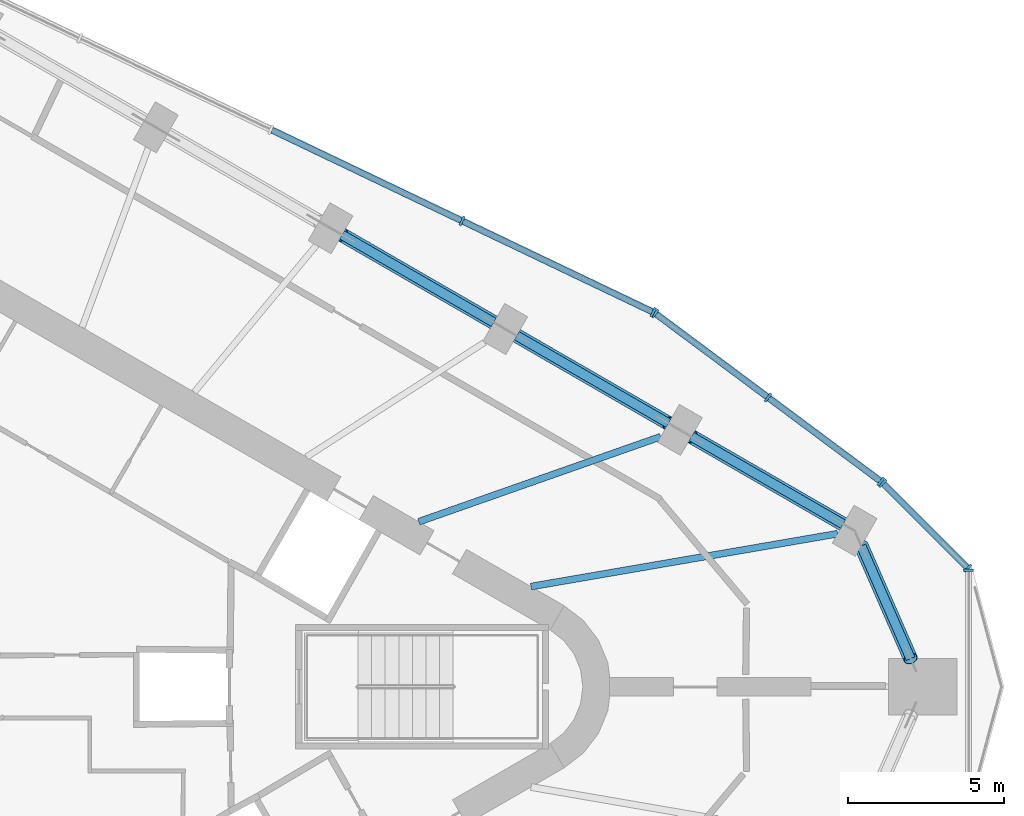
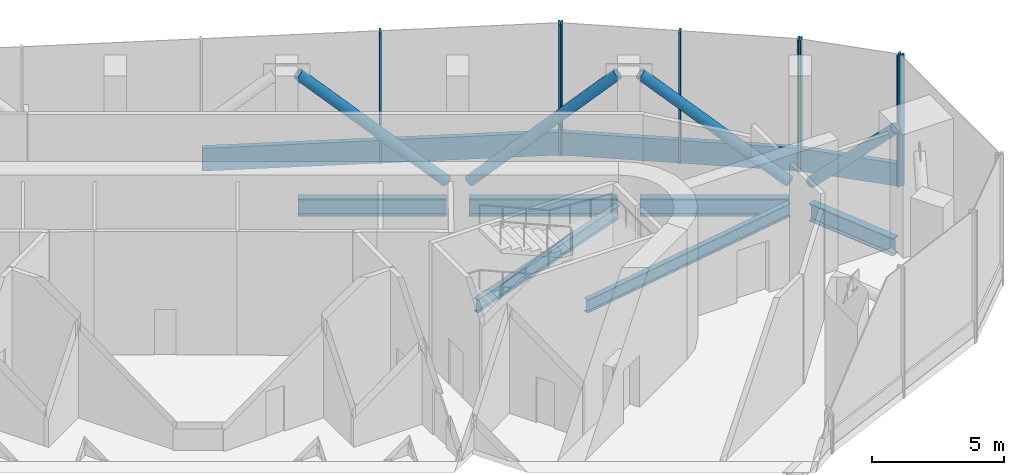
# One storey, part 5 of 15: 17 members, 6 beams, 4 elements without a shape of their own.
"""IFC4 building model written with IfcOpenShell, lengths in metres."""

from ifc_helpers import new_model, si_unit, direction, frame, origin, origin_2d, place, context, subcontext, project, spatial, rectangle, hollow_circle, i_section, extrude, material, material_profile, profile_set, type_object, element, aggregate, save


model = new_model("IFC4")

# Units and contexts
model_context = context("Model", 3, precision=1e-05, world=origin(), true_north=direction((0.0, 1.0)))
body_context = subcontext(model_context, "Body", "Model", "MODEL_VIEW")
ifc_project = project(units=[si_unit("LENGTHUNIT", "METRE"), si_unit("AREAUNIT", "SQUARE_METRE"), si_unit("VOLUMEUNIT", "CUBIC_METRE"), si_unit("PLANEANGLEUNIT", "RADIAN"), si_unit("MASSUNIT", "GRAM", prefix="KILO")], contexts=[model_context])

# Site, building, storey
site_placement = place(None, origin())
site = spatial("IfcSite", under=ifc_project, at=site_placement, CompositionType="ELEMENT")
building_placement = place(site_placement, origin())
building = spatial("IfcBuilding", under=site, at=building_placement, Name="Tanit Gate Tower", CompositionType="ELEMENT")
storey_placement = place(building_placement, frame((0.0, 0.0, 392.300048828125)))
storey = spatial("IfcBuildingStorey", under=building, at=storey_placement, Name="L90", CompositionType="ELEMENT", Elevation=392.300048828125)

# Beams
ifc_material_1 = material(Name="Steel S460", Category="steel")
ifc_material_profile_1 = material_profile(ifc_material_1, i_section(OverallWidth=0.302978515625, OverallDepth=0.81396484375, WebThickness=0.02099609375, FlangeThickness=0.0400390625, FilletRadius=0.030029296875, at=origin_2d()), Name="HEM 800")
ifc_profile_set_1 = profile_set([ifc_material_profile_1], Name="Steel S460")
beam_type_1 = type_object("IfcBeamType", Name="BELT TRUSS CHORD HEM 800 S460", PredefinedType="BEAM", material=ifc_profile_set_1)
beam_1_placement = place(storey_placement, frame((30.802001953125, 0.89990234375, -0.757080078125), z_axis=(-0.400637057258, 0.916236840752, 0.0), x_axis=(-0.916236840752, -0.400637057258, 0.0)))
element("IfcBeam", 1, at=beam_1_placement, inside=storey, type_object=beam_type_1, Name="BELT TRUSS CHORD", PredefinedType="BEAM", context=body_context, shape_type="SweptSolid", body=[
    extrude(i_section(OverallWidth=0.302978515625, OverallDepth=0.81396484375, WebThickness=0.02099609375, FlangeThickness=0.0400390625, FilletRadius=0.030029296875, at=origin_2d()), origin(), (0.0, 0.0, 1.0), 3.94580078125),
])
for number, where, z_axis, x_axis, name in (
    (2, (28.6416015625, 5.21142578125, -0.757080078125), (-0.866032056001, 0.499988477847, 0.0), (-0.499988477847, -0.866032056001, 0.0), "BELT TRUSS CHORD"),
    (3, (23.043701171875, 8.443359375, -0.757080078125), (-0.866032056001, 0.499988477847, 0.0), (-0.499988477847, -0.866032056001, 0.0), "BELT TRUSS CHORD"),
    (4, (17.44580078125, 11.67529296875, -0.757080078125), (-0.866032056001, 0.499988477847, 0.0), (-0.499988477847, -0.866032056001, 0.0), "BELT TRUSS CHORD"),
):
    element("IfcBeam", number, at=place(storey_placement, frame(where, z_axis=z_axis, x_axis=x_axis)), inside=storey, type_object=beam_type_1, Name=name, PredefinedType="BEAM", context=body_context, shape_type="SweptSolid", body=[
        extrude(i_section(OverallWidth=0.302978515625, OverallDepth=0.81396484375, WebThickness=0.02099609375, FlangeThickness=0.0400390625, FilletRadius=0.030029296875, at=origin_2d()), origin(), (0.0, 0.0, 1.0), 5.614013671875),
    ])

# Members
ifc_material_2 = material(Name="Steel S460", Category="steel")
ifc_material_profile_2 = material_profile(ifc_material_2, hollow_circle(Radius=0.228515625, WallThickness=0.02001953125, at=origin_2d()), Name="CHS 457x20")
ifc_profile_set_2 = profile_set([ifc_material_profile_2], Name="Steel S460")
member_type_1 = type_object("IfcMemberType", Name="BELT TRUSS DIAGONAL CHS 457x20 S460", PredefinedType="BRACE", material=ifc_profile_set_2)
member_1_placement = place(storey_placement, frame((30.802001953125, 0.89990234375, 4.673828125), z_axis=(-0.277026873899, 0.633546555783, -0.722409075797), x_axis=(-0.916236840752, -0.400637057258, 0.0)))
element("IfcMember", 5, at=member_1_placement, inside=storey, type_object=member_type_1, Name="BELT TRUSS DIAGONAL", PredefinedType="BRACE", context=body_context, shape_type="SweptSolid", body=[
    extrude(hollow_circle(Radius=0.228515625, WallThickness=0.02001953125, at=origin_2d()), origin(), (0.0, 0.0, 1.0), 5.706298828125),
])
for number, where, z_axis, x_axis, name in (
    (6, (28.6416015625, 5.21142578125, 0.374755859375), (-0.649555840169, 0.375009716502, 0.661396192181), (-0.499988477847, -0.866032056001, 0.0), "BELT TRUSS DIAGONAL"),
    (7, (23.043701171875, 8.443359375, 5.3251953125), (-0.649555840169, 0.375009716502, -0.661396192181), (-0.499988477847, -0.866032056001, 0.0), "BELT TRUSS DIAGONAL"),
    (8, (17.44580078125, 11.67529296875, 0.374755859375), (-0.649555840169, 0.375009716502, 0.661396192181), (-0.499988477847, -0.866032056001, 0.0), "BELT TRUSS DIAGONAL"),
):
    element("IfcMember", number, at=place(storey_placement, frame(where, z_axis=z_axis, x_axis=x_axis)), inside=storey, type_object=member_type_1, Name=name, PredefinedType="BRACE", context=body_context, shape_type="SweptSolid", body=[
        extrude(hollow_circle(Radius=0.228515625, WallThickness=0.02001953125, at=origin_2d()), origin(), (0.0, 0.0, 1.0), 7.48486328125),
    ])

# Curtain wall, members
ifc_material_3 = material(Name="Aluminium bronze anodised and glass", Category="aluminium")
curtain_wall_type = type_object("IfcCurtainWallType", Name="Curtain wall sky lobby", PredefinedType="NOTDEFINED", material=ifc_material_3)
curtain_wall_1_placement = place(storey_placement, origin())
curtain_wall_1 = element("IfcCurtainWall", 9, at=curtain_wall_1_placement, inside=storey, type_object=curtain_wall_type, Name="Curtain wall L90 NE1", PredefinedType="NOTDEFINED")
ifc_material_4 = material(Name="Aluminium bronze anodised", Category="aluminium")
ifc_material_profile_3 = material_profile(ifc_material_4, rectangle(XDim=0.320068359375, YDim=0.080078125, at=origin_2d()), Name="80x320 bronze mullion")
ifc_profile_set_3 = profile_set([ifc_material_profile_3], Name="Aluminium bronze anodised")
member_type_2 = type_object("IfcMemberType", Name="Mullion 80x320 sky lobby", PredefinedType="MULLION", material=ifc_profile_set_3)
member_2_placement = place(storey_placement, frame((29.848876953125, 6.5771484375, -0.35009765625), z_axis=(0.0, 0.0, 1.0), x_axis=(-0.59734052401, -0.801987717098, 0.0)))
member_2 = element("IfcMember", 10, at=member_2_placement, type_object=member_type_2, Name="Mullion L90 NE1.1", PredefinedType="MULLION", context=body_context, shape_type="SweptSolid", body=[
    extrude(rectangle(XDim=0.320068359375, YDim=0.080078125, at=origin_2d()), origin(), (0.0, 0.0, 1.0), 6.050048828125),
])
member_3_placement = place(storey_placement, frame((26.235595703125, 9.2685546875, -0.35009765625), z_axis=(0.0, 0.0, 1.0), x_axis=(-0.59734052401, -0.801987717098, 0.0)))
member_3 = element("IfcMember", 11, at=member_3_placement, type_object=member_type_2, Name="Mullion L90 NE1.2", PredefinedType="MULLION", context=body_context, shape_type="SweptSolid", body=[
    extrude(rectangle(XDim=0.320068359375, YDim=0.080078125, at=origin_2d()), origin(), (0.0, 0.0, 1.0), 6.050048828125),
])
member_4_placement = place(storey_placement, frame((22.622314453125, 11.959716796875, -0.35009765625), z_axis=(0.0, 0.0, 1.0), x_axis=(-0.59734052401, -0.801987717098, 0.0)))
member_4 = element("IfcMember", 12, at=member_4_placement, type_object=member_type_2, Name="Mullion L90 NE1.3", PredefinedType="MULLION", context=body_context, shape_type="SweptSolid", body=[
    extrude(rectangle(XDim=0.320068359375, YDim=0.080078125, at=origin_2d()), origin(), (0.0, 0.0, 1.0), 6.050048828125),
])

curtain_wall_2_placement = place(storey_placement, origin())
curtain_wall_2 = element("IfcCurtainWall", 13, at=curtain_wall_2_placement, inside=storey, type_object=curtain_wall_type, Name="Curtain wall L90 NE2", PredefinedType="NOTDEFINED")
member_5_placement = place(storey_placement, frame((22.55419921875, 12.0009765625, -0.35009765625), z_axis=(0.0, 0.0, 1.0), x_axis=(-0.431072811819, -0.902317145415, 0.0)))
member_5 = element("IfcMember", 14, at=member_5_placement, type_object=member_type_2, Name="Mullion L90 NE2.1", PredefinedType="MULLION", context=body_context, shape_type="SweptSolid", body=[
    extrude(rectangle(XDim=0.320068359375, YDim=0.080078125, at=origin_2d()), origin(), (0.0, 0.0, 1.0), 6.050048828125),
])
member_6_placement = place(storey_placement, frame((16.429443359375, 14.927001953125, -0.35009765625), z_axis=(0.0, 0.0, 1.0), x_axis=(-0.431072811819, -0.902317145415, 0.0)))
member_6 = element("IfcMember", 15, at=member_6_placement, type_object=member_type_2, Name="Mullion L90 NE2.2", PredefinedType="MULLION", context=body_context, shape_type="SweptSolid", body=[
    extrude(rectangle(XDim=0.320068359375, YDim=0.080078125, at=origin_2d()), origin(), (0.0, 0.0, 1.0), 6.050048828125),
])

# Curtain wall, member
curtain_wall_3_placement = place(storey_placement, origin())
curtain_wall_3 = element("IfcCurtainWall", 16, at=curtain_wall_3_placement, inside=storey, type_object=curtain_wall_type, Name="Curtain wall L90 E.arc2", PredefinedType="NOTDEFINED")
member_7_placement = place(storey_placement, frame((32.66015625, 3.73388671875, -0.35009765625), z_axis=(0.0, 0.0, 1.0), x_axis=(-1.0, 0.0, 0.0)))
member_7 = element("IfcMember", 17, at=member_7_placement, type_object=member_type_2, Name="Mullion L90 E.arc2.2", PredefinedType="MULLION", context=body_context, shape_type="SweptSolid", body=[
    extrude(rectangle(XDim=0.320068359375, YDim=0.080078125, at=origin_2d()), origin(), (0.0, 0.0, 1.0), 6.050048828125),
])
aggregate(curtain_wall_3, [member_7])

# Curtain wall, members
curtain_wall_4_placement = place(storey_placement, origin())
curtain_wall_4 = element("IfcCurtainWall", 18, at=curtain_wall_4_placement, inside=storey, type_object=curtain_wall_type, Name="Curtain wall L90 E.arc3", PredefinedType="NOTDEFINED")
member_8_placement = place(storey_placement, frame((32.632080078125, 3.80224609375, -0.35009765625), z_axis=(0.0, 0.0, 1.0), x_axis=(-0.707106781187, -0.707106781187, 0.0)))
member_8 = element("IfcMember", 19, at=member_8_placement, type_object=member_type_2, Name="Mullion L90 E.arc3.1", PredefinedType="MULLION", context=body_context, shape_type="SweptSolid", body=[
    extrude(rectangle(XDim=0.320068359375, YDim=0.080078125, at=origin_2d()), origin(), (0.0, 0.0, 1.0), 6.050048828125),
])
member_9_placement = place(storey_placement, frame((29.9091796875, 6.52490234375, -0.35009765625), z_axis=(0.0, 0.0, 1.0), x_axis=(-0.707106781187, -0.707106781187, 0.0)))
member_9 = element("IfcMember", 20, at=member_9_placement, type_object=member_type_2, Name="Mullion L90 E.arc3.2", PredefinedType="MULLION", context=body_context, shape_type="SweptSolid", body=[
    extrude(rectangle(XDim=0.320068359375, YDim=0.080078125, at=origin_2d()), origin(), (0.0, 0.0, 1.0), 6.050048828125),
])

# Beams
ifc_material_5 = material(Name="Steel S355", Category="steel")
ifc_material_profile_4 = material_profile(ifc_material_5, i_section(OverallWidth=0.219970703125, OverallDepth=0.60009765625, WebThickness=0.011962890625, FlangeThickness=0.01904296875, FilletRadius=0.02392578125, at=origin_2d()), Name="IPE 600")
ifc_profile_set_4 = profile_set([ifc_material_profile_4], Name="Steel S355")
beam_type_2 = type_object("IfcBeamType", Name="RADIAL GIRDER IPE 600 S355", PredefinedType="BEAM", material=ifc_profile_set_4)
beam_2_placement = place(storey_placement, frame((28.464599609375, 4.905029296875, -0.650146484375), z_axis=(-0.985476230571, -0.169813424025, 0.0), x_axis=(0.169813424025, -0.985476230571, 0.0)))
element("IfcBeam", 21, at=beam_2_placement, inside=storey, type_object=beam_type_2, Name="RADIAL GIRDER", PredefinedType="BEAM", context=body_context, shape_type="SweptSolid", body=[
    extrude(i_section(OverallWidth=0.219970703125, OverallDepth=0.60009765625, WebThickness=0.011962890625, FlangeThickness=0.01904296875, FilletRadius=0.02392578125, at=origin_2d()), origin(), (0.0, 0.0, 1.0), 9.968994140625),
])
beam_3_placement = place(storey_placement, frame((22.7958984375, 8.014404296875, -0.650146484375), z_axis=(-0.943393322565, -0.331676105471, 0.0), x_axis=(0.331676105471, -0.943393322565, 0.0)))
element("IfcBeam", 22, at=beam_3_placement, inside=storey, type_object=beam_type_2, Name="RADIAL GIRDER", PredefinedType="BEAM", context=body_context, shape_type="SweptSolid", body=[
    extrude(i_section(OverallWidth=0.219970703125, OverallDepth=0.60009765625, WebThickness=0.011962890625, FlangeThickness=0.01904296875, FilletRadius=0.02392578125, at=origin_2d()), origin(), (0.0, 0.0, 1.0), 8.217529296875),
])

# Member
ifc_material_6 = material(Name="Aluminium bronze anodised", Category="aluminium")
ifc_material_profile_5 = material_profile(ifc_material_6, rectangle(XDim=0.199951171875, YDim=1.050048828125, at=origin_2d()), Name="200x1050 bronze transom")
ifc_profile_set_5 = profile_set([ifc_material_profile_5], Name="Aluminium bronze anodised")
member_type_3 = type_object("IfcMemberType", Name="Transom 200x1050 sky lobby", PredefinedType="USERDEFINED", material=ifc_profile_set_5)
member_10_placement = place(storey_placement, frame((29.81689453125, 6.60107421875, 0.175048828125), z_axis=(-0.801994753638, 0.597331076654, 0.0), x_axis=(-0.597331076654, -0.801994753638, 0.0)))
member_10 = element("IfcMember", 23, at=member_10_placement, type_object=member_type_3, Name="Transom L90 NE1.1", ObjectType="TRANSOM", PredefinedType="USERDEFINED", context=body_context, shape_type="SweptSolid", body=[
    extrude(rectangle(XDim=0.199951171875, YDim=1.050048828125, at=origin_2d()), origin(), (0.0, 0.0, 1.0), 4.425537109375),
])

member_11_placement = place(storey_placement, frame((26.20361328125, 9.292236328125, 0.175048828125), z_axis=(-0.801994753638, 0.597331076654, 0.0), x_axis=(-0.597331076654, -0.801994753638, 0.0)))
member_11 = element("IfcMember", 24, at=member_11_placement, type_object=member_type_3, Name="Transom L90 NE1.2", ObjectType="TRANSOM", PredefinedType="USERDEFINED", context=body_context, shape_type="SweptSolid", body=[
    extrude(rectangle(XDim=0.199951171875, YDim=1.050048828125, at=origin_2d()), origin(), (0.0, 0.0, 1.0), 4.425537109375),
])

aggregate(curtain_wall_1, [member_2, member_3, member_4, member_10, member_11])

member_12_placement = place(storey_placement, frame((22.51806640625, 12.01806640625, 0.175048828125), z_axis=(-0.902312153024, 0.431083261685, 0.0), x_axis=(-0.431083261685, -0.902312153024, 0.0)))
member_12 = element("IfcMember", 25, at=member_12_placement, type_object=member_type_3, Name="Transom L90 NE2.1", ObjectType="TRANSOM", PredefinedType="USERDEFINED", context=body_context, shape_type="SweptSolid", body=[
    extrude(rectangle(XDim=0.199951171875, YDim=1.050048828125, at=origin_2d()), origin(), (0.0, 0.0, 1.0), 6.707763671875),
])

member_13_placement = place(storey_placement, frame((16.393310546875, 14.944091796875, 0.175048828125), z_axis=(-0.902312153024, 0.431083261685, 0.0), x_axis=(-0.431083261685, -0.902312153024, 0.0)))
member_13 = element("IfcMember", 26, at=member_13_placement, type_object=member_type_3, Name="Transom L90 NE2.2", ObjectType="TRANSOM", PredefinedType="USERDEFINED", context=body_context, shape_type="SweptSolid", body=[
    extrude(rectangle(XDim=0.199951171875, YDim=1.050048828125, at=origin_2d()), origin(), (0.0, 0.0, 1.0), 6.707763671875),
])

aggregate(curtain_wall_2, [member_5, member_6, member_12, member_13])

member_14_placement = place(storey_placement, frame((32.603759765625, 3.83056640625, 0.175048828125), z_axis=(-0.707106781187, 0.707106781187, 0.0), x_axis=(-0.707106781187, -0.707106781187, 0.0)))
member_14 = element("IfcMember", 27, at=member_14_placement, type_object=member_type_3, Name="Transom L90 E.arc3.1", ObjectType="TRANSOM", PredefinedType="USERDEFINED", context=body_context, shape_type="SweptSolid", body=[
    extrude(rectangle(XDim=0.199951171875, YDim=1.050048828125, at=origin_2d()), origin(), (0.0, 0.0, 1.0), 3.770751953125),
])

aggregate(curtain_wall_4, [member_8, member_9, member_14])

save(model, "model.ifc")
